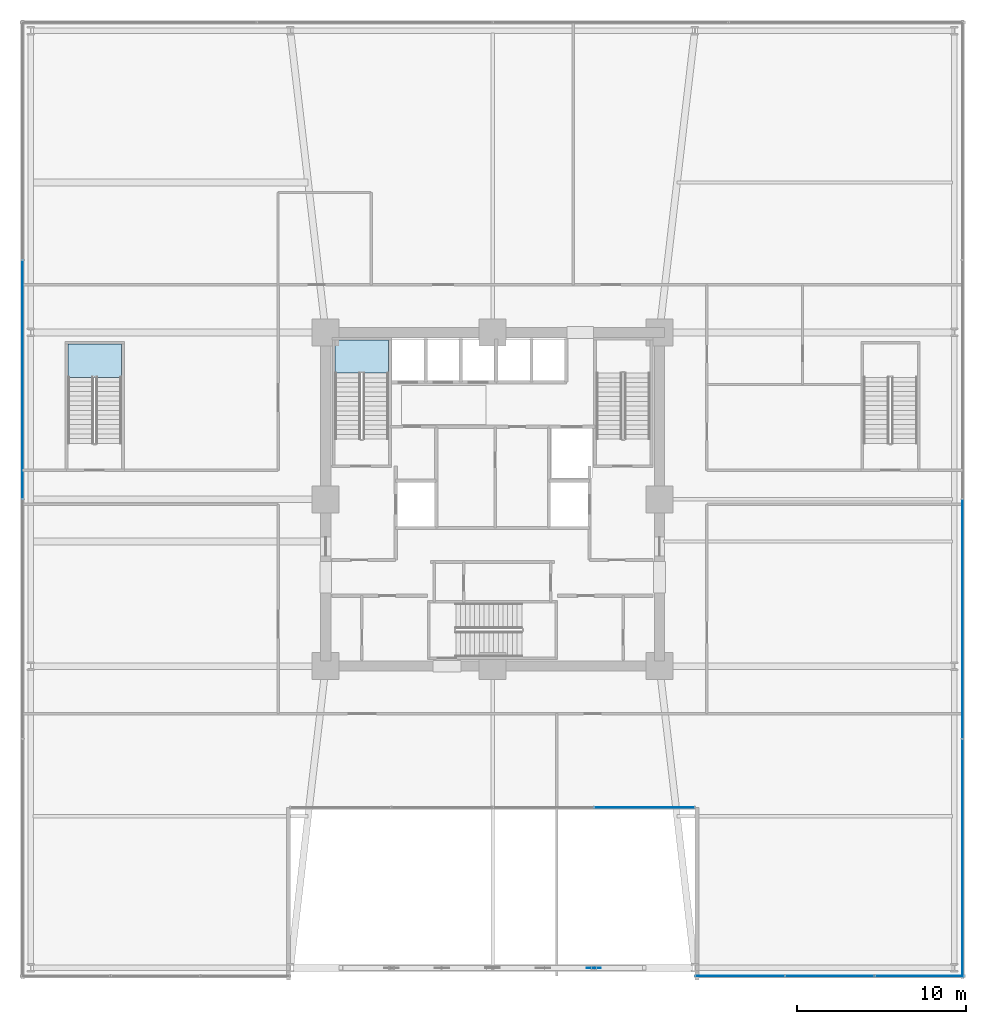
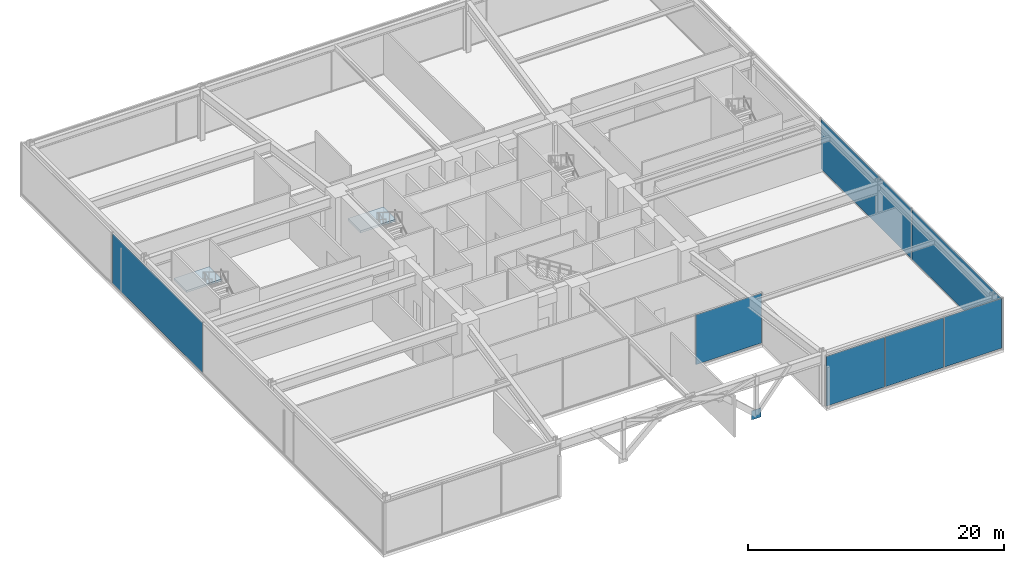
# One storey, part 41 of 49: 8 plates, 2 slabs, 6 elements without a shape of their own.
"""IFC4 building model written with IfcOpenShell, lengths in metres."""

import ifcopenshell
import ifcopenshell.guid

model = None  # the IFC model being written
_history = None  # IfcOwnerHistory: only IFC2X3 demands one
_inside = {}  # id of a spatial element -> (the spatial element, [elements in it])
_under = {}  # id of a project, library or spatial element -> (it, [spatial elements below it])
_declared = {}  # id of a project -> (the project, [libraries it declares])
_typed = {}  # id of a type object -> (the type object, [elements of that type])
_made_of = {}  # id of a material, layer set ... -> (it, [elements and type objects made of it])


def new_model(schema):
    """Start an empty IFC model of exactly this schema.

    Asked for "IFC4X3", IfcOpenShell would pick the latest addendum, in which some entities
    have other attributes; the version numbers below select the first issue.
    IFC2X3 requires an IfcOwnerHistory on every rooted entity: one is made here for all.
    """
    global model, _history
    if schema == "IFC4X3":
        model = ifcopenshell.file(schema_version=(4, 3, 0, 0))
    else:
        model = ifcopenshell.file(schema=schema)
    _inside.clear()
    _under.clear()
    _declared.clear()
    _typed.clear()
    _made_of.clear()
    _history = None
    if model.schema == "IFC2X3":
        org = make("IfcOrganization", Name="unknown")
        user = make(
            "IfcPersonAndOrganization",
            ThePerson=make("IfcPerson", FamilyName="unknown"),
            TheOrganization=org,
        )
        app = make(
            "IfcApplication",
            ApplicationDeveloper=org,
            Version="unknown",
            ApplicationFullName="unknown",
            ApplicationIdentifier="unknown",
        )
        _history = make(
            "IfcOwnerHistory",
            OwningUser=user,
            OwningApplication=app,
            ChangeAction="ADDED",
            CreationDate=0,
        )
    return model


def make(cls, **values):
    """One entity of the class cls with the attributes given. An attribute that is None is left unset."""
    return model.create_entity(
        cls, **{name: value for name, value in values.items() if value is not None}
    )


def rooted(cls, **values):
    """An entity with a GlobalId (a new one), such as an element, a storey or a relation."""
    return make(cls, GlobalId=ifcopenshell.guid.new(), OwnerHistory=_history, **values)


def si_unit(unit_type, name, prefix=None):
    """IfcSIUnit, for example si_unit("LENGTHUNIT", "METRE", prefix="MILLI")."""
    return make("IfcSIUnit", UnitType=unit_type, Prefix=prefix, Name=name)


def assignment(units):
    """IfcUnitAssignment: the units of a project."""
    return None if units is None else make("IfcUnitAssignment", Units=units)


def point(xyz):
    """IfcCartesianPoint."""
    return None if xyz is None else make("IfcCartesianPoint", Coordinates=xyz)


def direction(xyz):
    """IfcDirection."""
    return None if xyz is None else make("IfcDirection", DirectionRatios=xyz)


def frame(location, z_axis=None, x_axis=None):
    """IfcAxis2Placement3D, a coordinate frame: its origin and axes. An axis left out is left unset."""
    return make(
        "IfcAxis2Placement3D",
        Location=point(location),
        Axis=direction(z_axis),
        RefDirection=direction(x_axis),
    )


def frame_2d(location, x_axis=None):
    """IfcAxis2Placement2D, a coordinate frame in the plane: its origin and x axis."""
    return make(
        "IfcAxis2Placement2D", Location=point(location), RefDirection=direction(x_axis)
    )


def origin():
    """The frame at (0, 0, 0) with its axes left unset."""
    return frame((0.0, 0.0, 0.0))


def origin_2d():
    """The frame at (0, 0) in the plane with its x axis left unset."""
    return frame_2d((0.0, 0.0))


def place(relative_to, where):
    """IfcLocalPlacement: puts the frame where relative to a parent placement (None: the world)."""
    return make(
        "IfcLocalPlacement", PlacementRelTo=relative_to, RelativePlacement=where
    )


def context(
    kind, dimensions, precision=None, world=None, true_north=None, identifier=None
):
    """IfcGeometricRepresentationContext, for example the 3D "Model" context."""
    return make(
        "IfcGeometricRepresentationContext",
        ContextIdentifier=identifier,
        ContextType=kind,
        CoordinateSpaceDimension=dimensions,
        Precision=precision,
        WorldCoordinateSystem=world,
        TrueNorth=true_north,
    )


def subcontext(parent, identifier, kind, view, scale=None):
    """IfcGeometricRepresentationSubContext, for example "Body" below "Model"."""
    return make(
        "IfcGeometricRepresentationSubContext",
        ContextIdentifier=identifier,
        ContextType=kind,
        ParentContext=parent,
        TargetScale=scale,
        TargetView=view,
    )


def project(units=None, contexts=None):
    """IfcProject with its units and contexts."""
    return rooted(
        "IfcProject",
        Name="project",
        RepresentationContexts=contexts,
        UnitsInContext=assignment(units),
    )


def spatial(cls, under=None, at=None, **own):
    """A site, building, storey or space (cls), placed at a placement, below another one or the project."""
    s = rooted(cls, ObjectPlacement=at, **own)
    if under is not None:
        _under.setdefault(under.id(), (under, []))[1].append(s)
    return s


def polyline(points):
    """IfcPolyline through the points."""
    return make("IfcPolyline", Points=[point(p) for p in points])


def profile(cls, at=None, kind="AREA", **sizes):
    """A parametric profile (cls). Its sizes go by their IFC names, for example OverallWidth=200.0."""
    return make(cls, ProfileType=kind, Position=at, **sizes)


def rectangle(**sizes):
    """IfcRectangleProfileDef."""
    return profile("IfcRectangleProfileDef", **sizes)


def outline(outer, holes=None, kind="AREA"):
    """IfcArbitraryClosedProfileDef: a profile drawn as a closed curve; with holes, ...WithVoids."""
    if holes is None:
        return make("IfcArbitraryClosedProfileDef", ProfileType=kind, OuterCurve=outer)
    return make(
        "IfcArbitraryProfileDefWithVoids",
        ProfileType=kind,
        OuterCurve=outer,
        InnerCurves=holes,
    )


def extrude(swept, where, along, depth):
    """IfcExtrudedAreaSolid: the profile swept, set in the frame where, extruded along a direction by depth."""
    return make(
        "IfcExtrudedAreaSolid",
        SweptArea=swept,
        Position=where,
        ExtrudedDirection=direction(along),
        Depth=depth,
    )


def shape(context_of_items, identifier, shape_type, items):
    """IfcShapeRepresentation: the items that make up one representation, for example the "Body"."""
    return make(
        "IfcShapeRepresentation",
        ContextOfItems=context_of_items,
        RepresentationIdentifier=identifier,
        RepresentationType=shape_type,
        Items=items,
    )


def material(Name=None, Category=None):
    """IfcMaterial."""
    return make("IfcMaterial", Name=Name, Category=Category)


def layer(
    of_material, thickness, ventilated=None, Name=None, Category=None, Priority=None
):
    """IfcMaterialLayer: one layer of a wall or slab, of a material (None: an air gap)."""
    return make(
        "IfcMaterialLayer",
        Material=of_material,
        LayerThickness=thickness,
        IsVentilated=ventilated,
        Name=Name,
        Category=Category,
        Priority=Priority,
    )


def layer_set(layers, Name=None):
    """IfcMaterialLayerSet."""
    return make("IfcMaterialLayerSet", MaterialLayers=layers, LayerSetName=Name)


def made_of(thing, what):
    """Note that an element or type object is made of a material, layer set ...; save() writes the relation."""
    if what is not None:
        _made_of.setdefault(what.id(), (what, []))[1].append(thing)
    return thing


def type_object(cls, material=None, **own):
    """A type object (cls), such as IfcWallType, which elements share."""
    return made_of(rooted(cls, **own), material)


def element(
    cls,
    number,
    at=None,
    inside=None,
    cuts=None,
    type_object=None,
    material=None,
    context=None,
    identifier="Body",
    shape_type=None,
    held_by="IfcProductDefinitionShape",
    body=None,
    shapes=None,
    **own,
):
    """One element of the class cls, such as IfcWall. Its Tag is "e" and its number.

    at: its placement. inside: the storey or other place that contains it. cuts: it is an
    opening in that element (IfcRelVoidsElement). A single representation is given by context,
    identifier, shape_type and body (its items); several are given by shapes. held_by: the class
    of the entity that holds the representations. save() writes the other relations.
    """
    e = rooted(cls, Tag="e%d" % number, ObjectPlacement=at, **own)
    if body is not None:
        shapes = [shape(context, identifier, shape_type, body)]
    if shapes is not None:
        e.Representation = make(held_by, Representations=shapes)
    if inside is not None:
        _inside.setdefault(inside.id(), (inside, []))[1].append(e)
    if cuts is not None:
        rooted(
            "IfcRelVoidsElement", RelatingBuildingElement=cuts, RelatedOpeningElement=e
        )
    if type_object is not None:
        _typed.setdefault(type_object.id(), (type_object, []))[1].append(e)
    return made_of(e, material)


def aggregate(whole, parts):
    """IfcRelAggregates: a whole, such as a stair, and the parts it consists of."""
    return rooted("IfcRelAggregates", RelatingObject=whole, RelatedObjects=parts)


def save(model, path):
    """Write the relations noted so far, then the file.

    IfcRelAggregates (storeys below a building ...), IfcRelContainedInSpatialStructure (elements
    in a storey), IfcRelDefinesByType, IfcRelAssociatesMaterial and IfcRelDeclares: one each for
    every whole, place, type object, material and project.
    """
    for whole, parts in _under.values():
        aggregate(whole, parts)
    for where, things in _inside.values():
        rooted(
            "IfcRelContainedInSpatialStructure",
            RelatedElements=things,
            RelatingStructure=where,
        )
    for kind, things in _typed.values():
        rooted("IfcRelDefinesByType", RelatedObjects=things, RelatingType=kind)
    for what, things in _made_of.values():
        rooted("IfcRelAssociatesMaterial", RelatedObjects=things, RelatingMaterial=what)
    for by, libraries in _declared.values():
        rooted("IfcRelDeclares", RelatingContext=by, RelatedDefinitions=libraries)
    model.write(path)


model = new_model("IFC4")

# Units and contexts
model_context = context("Model", 3, precision=1e-05, world=origin(), true_north=direction((0.0, 1.0)))
body_context = subcontext(model_context, "Body", "Model", "MODEL_VIEW")
ifc_project = project(units=[si_unit("LENGTHUNIT", "METRE"), si_unit("AREAUNIT", "SQUARE_METRE"), si_unit("VOLUMEUNIT", "CUBIC_METRE"), si_unit("PLANEANGLEUNIT", "RADIAN"), si_unit("MASSUNIT", "GRAM", prefix="KILO")], contexts=[model_context])

# Site, building, storey
site_placement = place(None, origin())
site = spatial("IfcSite", under=ifc_project, at=site_placement, CompositionType="ELEMENT")
building_placement = place(site_placement, origin())
building = spatial("IfcBuilding", under=site, at=building_placement, Name="Kolvaren Belvedere", CompositionType="ELEMENT")
storey_placement = place(building_placement, frame((0.0, 0.0, 10.0)))
storey = spatial("IfcBuildingStorey", under=building, at=storey_placement, Name="L03", CompositionType="ELEMENT", Elevation=10.0)

# Curtain wall, plate
ifc_material_1 = material(Name="Anodised pale-metal aluminium AA 6063-T6", Category="aluminium")
curtain_wall_type = type_object("IfcCurtainWallType", Name="CW-POD-A", PredefinedType="NOTDEFINED", material=ifc_material_1)
curtain_wall_1_placement = place(storey_placement, origin())
curtain_wall_1 = element("IfcCurtainWall", 1, at=curtain_wall_1_placement, inside=storey, type_object=curtain_wall_type, Name="L03 Unitised Curtain Wall FCW-L03-SEG3", PredefinedType="NOTDEFINED")
ifc_material_2 = material(Name="Low-iron laminated vision glass", Category="glass")
ifc_layer_1 = layer(ifc_material_2, 0.031982421875)
ifc_layer_set_1 = layer_set([ifc_layer_1], Name="Low-iron laminated vision glass")
plate_type_1 = type_object("IfcPlateType", Name="CW-PNL-VIS32", PredefinedType="CURTAIN_PANEL", material=ifc_layer_set_1)
plate_1_placement = place(storey_placement, frame((9.0, -18.280029296875, 0.080078125), z_axis=(0.0, 0.0, 1.0), x_axis=(-1.0, 0.0, 0.0)))
plate_1 = element("IfcPlate", 2, at=plate_1_placement, type_object=plate_type_1, Name="FCW-L03-SEG3 Vision Glazing Panel 1", PredefinedType="CURTAIN_PANEL", context=body_context, shape_type="SweptSolid", body=[
    extrude(rectangle(XDim=5.919921875, YDim=0.031982421875, at=origin_2d()), origin(), (0.0, 0.0, 1.0), 4.760009765625),
])
aggregate(curtain_wall_1, [plate_1])

# Curtain wall, plates
curtain_wall_2_placement = place(storey_placement, origin())
curtain_wall_2 = element("IfcCurtainWall", 3, at=curtain_wall_2_placement, inside=storey, type_object=curtain_wall_type, Name="L03 Unitised Curtain Wall FCW-L03-SEG5", PredefinedType="NOTDEFINED")
plate_2_placement = place(storey_placement, frame((25.333251953125, -28.280029296875, 0.080078125), z_axis=(0.0, 0.0, 1.0), x_axis=(-1.0, 0.0, 0.0)))
plate_2 = element("IfcPlate", 4, at=plate_2_placement, type_object=plate_type_1, Name="FCW-L03-SEG5 Vision Glazing Panel 1", PredefinedType="CURTAIN_PANEL", context=body_context, shape_type="SweptSolid", body=[
    extrude(rectangle(XDim=5.25341796875, YDim=0.031982421875, at=origin_2d()), origin(), (0.0, 0.0, 1.0), 4.760009765625),
])
plate_3_placement = place(storey_placement, frame((20.0, -28.280029296875, 0.080078125), z_axis=(0.0, 0.0, 1.0), x_axis=(-1.0, 0.0, 0.0)))
plate_3 = element("IfcPlate", 5, at=plate_3_placement, type_object=plate_type_1, Name="FCW-L03-SEG5 Vision Glazing Panel 2", PredefinedType="CURTAIN_PANEL", context=body_context, shape_type="SweptSolid", body=[
    extrude(rectangle(XDim=5.25341796875, YDim=0.031982421875, at=origin_2d()), origin(), (0.0, 0.0, 1.0), 4.760009765625),
])
plate_4_placement = place(storey_placement, frame((14.666748046875, -28.280029296875, 0.080078125), z_axis=(0.0, 0.0, 1.0), x_axis=(-1.0, 0.0, 0.0)))
plate_4 = element("IfcPlate", 6, at=plate_4_placement, type_object=plate_type_1, Name="FCW-L03-SEG5 Vision Glazing Panel 3", PredefinedType="CURTAIN_PANEL", context=body_context, shape_type="SweptSolid", body=[
    extrude(rectangle(XDim=5.25341796875, YDim=0.031982421875, at=origin_2d()), origin(), (0.0, 0.0, 1.0), 4.760009765625),
])
aggregate(curtain_wall_2, [plate_2, plate_3, plate_4])

curtain_wall_3_placement = place(storey_placement, origin())
curtain_wall_3 = element("IfcCurtainWall", 7, at=curtain_wall_3_placement, inside=storey, type_object=curtain_wall_type, Name="L03 Unitised Curtain Wall FCW-L03-SEG6", PredefinedType="NOTDEFINED")
plate_5_placement = place(storey_placement, frame((27.8798828125, -7.10009765625, 0.080078125), z_axis=(0.0, 0.0, 1.0), x_axis=(0.0, -1.0, 0.0)))
plate_5 = element("IfcPlate", 8, at=plate_5_placement, type_object=plate_type_1, Name="FCW-L03-SEG6 Vision Glazing Panel 3", PredefinedType="CURTAIN_PANEL", context=body_context, shape_type="SweptSolid", body=[
    extrude(rectangle(XDim=14.1201171875, YDim=0.031982421875, at=origin_2d()), origin(), (0.0, 0.0, 1.0), 4.760009765625),
])
plate_6_placement = place(storey_placement, frame((27.8798828125, -21.300048828125, 0.080078125), z_axis=(0.0, 0.0, 1.0), x_axis=(0.0, -1.0, 0.0)))
plate_6 = element("IfcPlate", 9, at=plate_6_placement, type_object=plate_type_1, Name="FCW-L03-SEG6 Vision Glazing Panel 4", PredefinedType="CURTAIN_PANEL", context=body_context, shape_type="SweptSolid", body=[
    extrude(rectangle(XDim=14.1201171875, YDim=0.031982421875, at=origin_2d()), origin(), (0.0, 0.0, 1.0), 4.760009765625),
])
aggregate(curtain_wall_3, [plate_5, plate_6])

# Curtain wall, plate
curtain_wall_4_placement = place(storey_placement, origin())
curtain_wall_4 = element("IfcCurtainWall", 10, at=curtain_wall_4_placement, inside=storey, type_object=curtain_wall_type, Name="L03 Unitised Curtain Wall FCW-L03-SEG8", PredefinedType="NOTDEFINED")
plate_7_placement = place(storey_placement, frame((-27.8798828125, 7.10009765625, 0.080078125), z_axis=(0.0, 0.0, 1.0), x_axis=(0.0, 1.0, 0.0)))
plate_7 = element("IfcPlate", 11, at=plate_7_placement, type_object=plate_type_1, Name="FCW-L03-SEG8 Vision Glazing Panel 3", PredefinedType="CURTAIN_PANEL", context=body_context, shape_type="SweptSolid", body=[
    extrude(rectangle(XDim=14.1201171875, YDim=0.031982421875, at=origin_2d()), origin(), (0.0, 0.0, 1.0), 4.760009765625),
])
aggregate(curtain_wall_4, [plate_7])

# Plate
ifc_material_3 = material(Name="Structural steel ASTM A572 Grade 50", Category="steel")
ifc_layer_2 = layer(ifc_material_3, 0.0400390625)
ifc_layer_set_2 = layer_set([ifc_layer_2], Name="Structural steel ASTM A572 Grade 50")
plate_type_2 = type_object("IfcPlateType", Name="PL-GUSSET-40", PredefinedType="USERDEFINED", material=ifc_layer_set_2)
plate_8_placement = place(storey_placement, frame((6.0, -27.800048828125, 0.75), z_axis=(0.0, 0.0, 1.0), x_axis=(1.0, 0.0, 0.0)))
element("IfcPlate", 12, at=plate_8_placement, inside=storey, type_object=plate_type_2, Name="Portal Arch Gusset Plate AN-7", ObjectType="GUSSET PLATE", PredefinedType="USERDEFINED", context=body_context, shape_type="SweptSolid", body=[
    extrude(rectangle(XDim=0.85009765625, YDim=0.0400390625, at=origin_2d()), origin(), (0.0, 0.0, 1.0), 0.85009765625),
])

# Stair, slab
ifc_material_4 = material(Name="Concrete C50/60", Category="concrete")
stair_type_1 = type_object("IfcStairType", Name="ST-CORE-1520", PredefinedType="HALF_TURN_STAIR", material=ifc_material_4)
stair_1_placement = place(storey_placement, origin())
stair_1 = element("IfcStair", 13, at=stair_1_placement, inside=storey, type_object=stair_type_1, Name="L03 Protected Exit Stair ST-1", PredefinedType="HALF_TURN_STAIR")
ifc_material_5 = material(Name="Concrete C50/60", Category="concrete")
ifc_layer_3 = layer(ifc_material_5, 0.260009765625)
ifc_layer_set_3 = layer_set([ifc_layer_3], Name="Concrete C50/60")
slab_type = type_object("IfcSlabType", Name="SL-LAND-260", PredefinedType="LANDING", material=ifc_layer_set_3)
slab_1_placement = place(storey_placement, frame((0.0, 0.0, 2.39990234375)))
slab_1 = element("IfcSlab", 14, at=slab_1_placement, type_object=slab_type, Name="ST-1 landing 1", PredefinedType="LANDING", context=body_context, shape_type="SweptSolid", body=[
    extrude(outline(polyline([(-6.159912109375, 7.489990234375), (-6.159912109375, 9.449951171875), (-9.35009765625, 9.449951171875), (-9.35009765625, 7.489990234375), (-6.159912109375, 7.489990234375)])), origin(), (0.0, 0.0, 1.0), 0.2001953125),
])
aggregate(stair_1, [slab_1])

ifc_material_6 = material(Name="Concrete C50/60", Category="concrete")
stair_type_2 = type_object("IfcStairType", Name="ST-POD-1520", PredefinedType="HALF_TURN_STAIR", material=ifc_material_6)
stair_2_placement = place(storey_placement, origin())
stair_2 = element("IfcStair", 15, at=stair_2_placement, inside=storey, type_object=stair_type_2, Name="L03 Podium Exit Stair ST-P1", PredefinedType="HALF_TURN_STAIR")
slab_2_placement = place(storey_placement, frame((0.0, 0.0, 2.39990234375)))
slab_2 = element("IfcSlab", 16, at=slab_2_placement, type_object=slab_type, Name="ST-P1 landing 1", PredefinedType="LANDING", context=body_context, shape_type="SweptSolid", body=[
    extrude(outline(polyline([(-22.010009765625, 7.239990234375), (-22.010009765625, 9.199951171875), (-25.199951171875, 9.199951171875), (-25.199951171875, 7.239990234375), (-22.010009765625, 7.239990234375)])), origin(), (0.0, 0.0, 1.0), 0.2001953125),
])
aggregate(stair_2, [slab_2])

save(model, "model.ifc")
